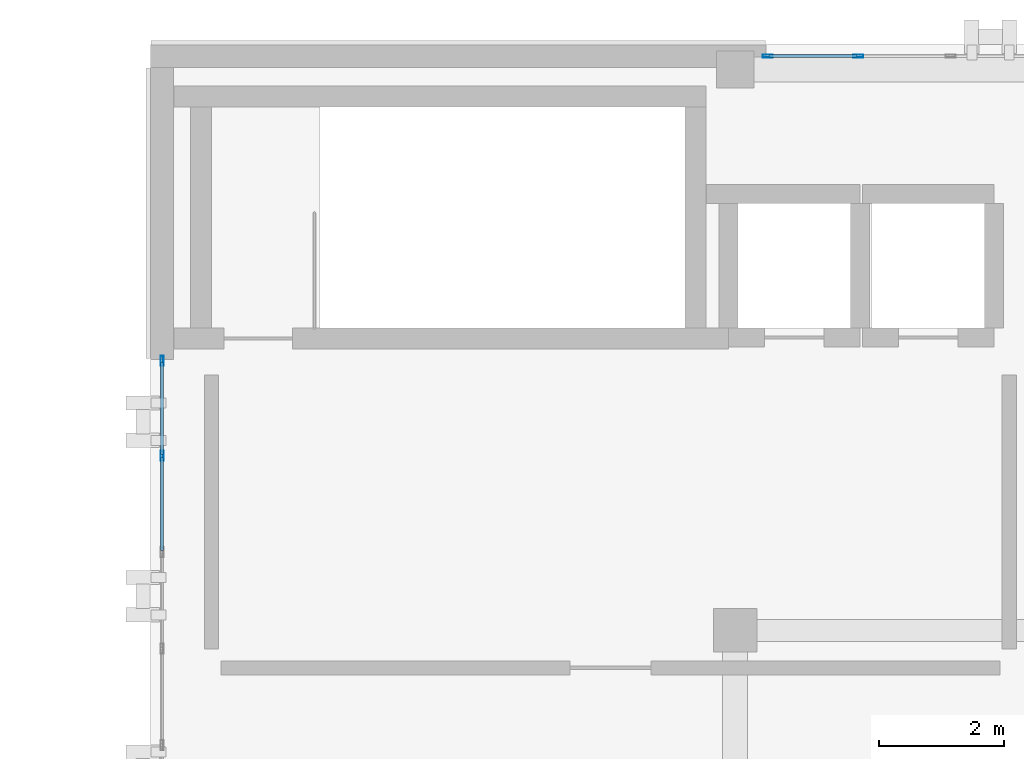
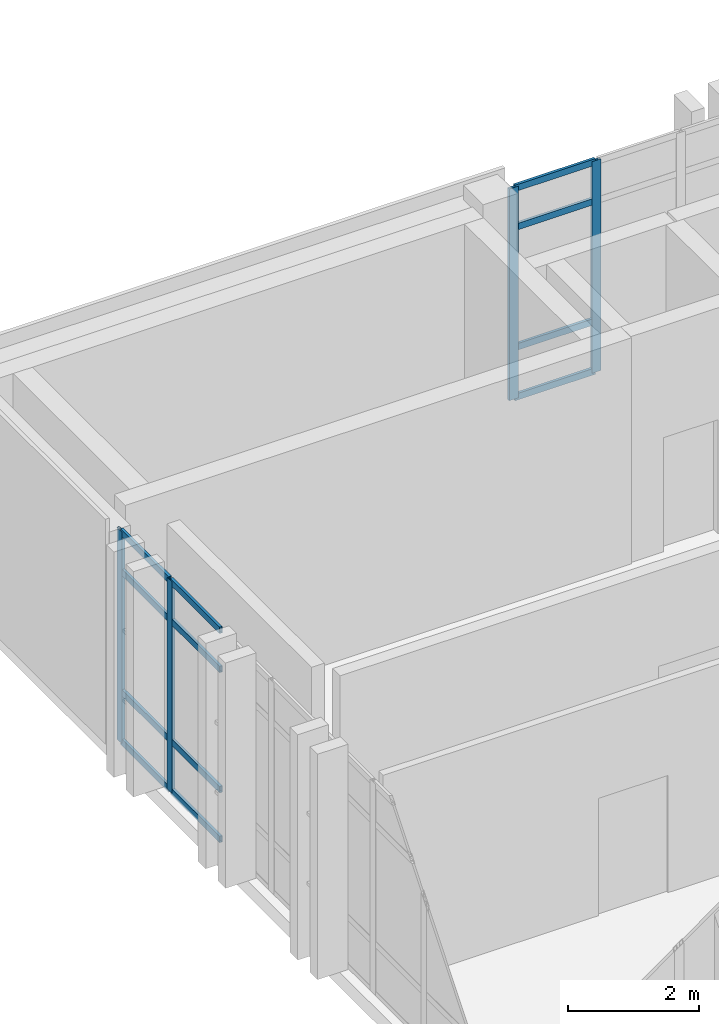
# One storey, part 46 of 77: 16 members, 2 elements without a shape of their own.
"""IFC4 building model written with IfcOpenShell, lengths in metres."""

from ifc_helpers import new_model, si_unit, direction, frame, origin, origin_2d, place, context, subcontext, project, spatial, hollow_rectangle, extrude, material, layer, layer_set, material_profile, profile_set, type_object, element, aggregate, save


model = new_model("IFC4")

# Units and contexts
model_context = context("Model", 3, precision=1e-05, world=origin(), true_north=direction((0.0, 1.0)))
body_context = subcontext(model_context, "Body", "Model", "MODEL_VIEW")
ifc_project = project(units=[si_unit("LENGTHUNIT", "METRE"), si_unit("AREAUNIT", "SQUARE_METRE"), si_unit("VOLUMEUNIT", "CUBIC_METRE"), si_unit("PLANEANGLEUNIT", "RADIAN"), si_unit("MASSUNIT", "GRAM", prefix="KILO")], contexts=[model_context])

# Site, building, storey
site_placement = place(None, origin())
site = spatial("IfcSite", under=ifc_project, at=site_placement, CompositionType="ELEMENT")
building_placement = place(site_placement, origin())
building = spatial("IfcBuilding", under=site, at=building_placement, Name="Qalavern Law Courts", CompositionType="ELEMENT")
storey_placement = place(building_placement, frame((0.0, 0.0, 27.0)))
storey = spatial("IfcBuildingStorey", under=building, at=storey_placement, Name="L06", CompositionType="ELEMENT", Elevation=27.0)

# Curtain wall, members
ifc_material_1 = material(Name="Anodised aluminium and insulated glazing", Category="aluminium")
ifc_layer = layer(ifc_material_1, 0.166015625)
ifc_layer_set = layer_set([ifc_layer], Name="Anodised aluminium and insulated glazing")
curtain_wall_type = type_object("IfcCurtainWallType", Name="ENV-CW-LIB", PredefinedType="USERDEFINED", material=ifc_layer_set)
curtain_wall_1_placement = place(storey_placement, origin())
curtain_wall_1 = element("IfcCurtainWall", 1, at=curtain_wall_1_placement, inside=storey, type_object=curtain_wall_type, Name="V5 unitised curtain wall L06 north 4", ObjectType="UNITISED CURTAIN WALL", PredefinedType="USERDEFINED")
ifc_material_2 = material(Name="Anodised aluminium", Category="aluminium")
ifc_material_profile_1 = material_profile(ifc_material_2, hollow_rectangle(XDim=0.048095703125, YDim=0.159912109375, WallThickness=0.00390625, at=origin_2d()), Name="ALU MULLION 48x160")
ifc_profile_set_1 = profile_set([ifc_material_profile_1], Name="Anodised aluminium")
member_type_1 = type_object("IfcMemberType", Name="ENV-CWM-48x160", PredefinedType="MULLION", material=ifc_profile_set_1)
member_1_placement = place(storey_placement, frame((30.3798828125, 112.81494140625, 0.0), z_axis=(0.0, 0.0, 1.0), x_axis=(0.0, -1.0, 0.0)))
member_1 = element("IfcMember", 2, at=member_1_placement, type_object=member_type_1, Name="CW-05 mullion 5", PredefinedType="MULLION", context=body_context, shape_type="SweptSolid", body=[
    extrude(hollow_rectangle(XDim=0.048095703125, YDim=0.159912109375, WallThickness=0.00390625, at=origin_2d()), origin(), (0.0, 0.0, 1.0), 3.93505859375),
])
member_2_placement = place(storey_placement, frame((28.924072265625, 112.81494140625, 0.0), z_axis=(0.0, 0.0, 1.0), x_axis=(0.0, -1.0, 0.0)))
member_2 = element("IfcMember", 3, at=member_2_placement, type_object=member_type_1, Name="CW-05 mullion 6", PredefinedType="MULLION", context=body_context, shape_type="SweptSolid", body=[
    extrude(hollow_rectangle(XDim=0.048095703125, YDim=0.159912109375, WallThickness=0.00390625, at=origin_2d()), origin(), (0.0, 0.0, 1.0), 3.93505859375),
])

curtain_wall_2_placement = place(storey_placement, origin())
curtain_wall_2 = element("IfcCurtainWall", 4, at=curtain_wall_2_placement, inside=storey, type_object=curtain_wall_type, Name="V5 unitised curtain wall L06 west 1", ObjectType="UNITISED CURTAIN WALL", PredefinedType="USERDEFINED")
member_3_placement = place(storey_placement, frame((19.205078125, 107.926025390625, 0.0), z_axis=(0.0, 0.0, 1.0), x_axis=(1.0, 0.0, 0.0)))
member_3 = element("IfcMember", 5, at=member_3_placement, type_object=member_type_1, Name="CW-05 mullion 1", PredefinedType="MULLION", context=body_context, shape_type="SweptSolid", body=[
    extrude(hollow_rectangle(XDim=0.048095703125, YDim=0.159912109375, WallThickness=0.00390625, at=origin_2d()), origin(), (0.0, 0.0, 1.0), 3.93505859375),
])
member_4_placement = place(storey_placement, frame((19.205078125, 106.402099609375, 0.0), z_axis=(0.0, 0.0, 1.0), x_axis=(1.0, 0.0, 0.0)))
member_4 = element("IfcMember", 6, at=member_4_placement, type_object=member_type_1, Name="CW-05 mullion 2", PredefinedType="MULLION", context=body_context, shape_type="SweptSolid", body=[
    extrude(hollow_rectangle(XDim=0.048095703125, YDim=0.159912109375, WallThickness=0.00390625, at=origin_2d()), origin(), (0.0, 0.0, 1.0), 3.93505859375),
])

# Member
ifc_material_profile_2 = material_profile(ifc_material_2, hollow_rectangle(XDim=0.048095703125, YDim=0.1201171875, WallThickness=0.00390625, at=origin_2d()), Name="ALU TRANSOM 48x120")
ifc_profile_set_2 = profile_set([ifc_material_profile_2], Name="Anodised aluminium")
member_type_2 = type_object("IfcMemberType", Name="ENV-CWT-48x120", PredefinedType="USERDEFINED", material=ifc_profile_set_2)
member_5_placement = place(storey_placement, frame((30.35595703125, 112.81494140625, 0.02392578125), z_axis=(-1.0, 0.0, 0.0), x_axis=(0.0, -1.0, 0.0)))
member_5 = element("IfcMember", 7, at=member_5_placement, type_object=member_type_2, Name="CW-05 transom 5.1", ObjectType="TRANSOM", PredefinedType="USERDEFINED", context=body_context, shape_type="SweptSolid", body=[
    extrude(hollow_rectangle(XDim=0.048095703125, YDim=0.1201171875, WallThickness=0.00390625, at=origin_2d()), origin(), (0.0, 0.0, 1.0), 1.407958984375),
])

member_6_placement = place(storey_placement, frame((30.35595703125, 112.81494140625, 0.949951171875), z_axis=(-1.0, 0.0, 0.0), x_axis=(0.0, -1.0, 0.0)))
member_6 = element("IfcMember", 8, at=member_6_placement, type_object=member_type_2, Name="CW-05 transom 5.2", ObjectType="TRANSOM", PredefinedType="USERDEFINED", context=body_context, shape_type="SweptSolid", body=[
    extrude(hollow_rectangle(XDim=0.048095703125, YDim=0.1201171875, WallThickness=0.00390625, at=origin_2d()), origin(), (0.0, 0.0, 1.0), 1.407958984375),
])

member_7_placement = place(storey_placement, frame((30.35595703125, 112.81494140625, 3.18505859375), z_axis=(-1.0, 0.0, 0.0), x_axis=(0.0, -1.0, 0.0)))
member_7 = element("IfcMember", 9, at=member_7_placement, type_object=member_type_2, Name="CW-05 transom 5.3", ObjectType="TRANSOM", PredefinedType="USERDEFINED", context=body_context, shape_type="SweptSolid", body=[
    extrude(hollow_rectangle(XDim=0.048095703125, YDim=0.1201171875, WallThickness=0.00390625, at=origin_2d()), origin(), (0.0, 0.0, 1.0), 1.407958984375),
])

member_8_placement = place(storey_placement, frame((30.35595703125, 112.81494140625, 3.910888671875), z_axis=(-1.0, 0.0, 0.0), x_axis=(0.0, -1.0, 0.0)))
member_8 = element("IfcMember", 10, at=member_8_placement, type_object=member_type_2, Name="CW-05 transom 5.4", ObjectType="TRANSOM", PredefinedType="USERDEFINED", context=body_context, shape_type="SweptSolid", body=[
    extrude(hollow_rectangle(XDim=0.048095703125, YDim=0.1201171875, WallThickness=0.00390625, at=origin_2d()), origin(), (0.0, 0.0, 1.0), 1.407958984375),
])

aggregate(curtain_wall_1, [member_1, member_2, member_5, member_6, member_7, member_8])

member_9_placement = place(storey_placement, frame((19.205078125, 107.902099609375, 0.02392578125), z_axis=(0.0, -1.0, 0.0), x_axis=(1.0, 0.0, 0.0)))
member_9 = element("IfcMember", 11, at=member_9_placement, type_object=member_type_2, Name="CW-05 transom 1.1", ObjectType="TRANSOM", PredefinedType="USERDEFINED", context=body_context, shape_type="SweptSolid", body=[
    extrude(hollow_rectangle(XDim=0.048095703125, YDim=0.1201171875, WallThickness=0.00390625, at=origin_2d()), origin(), (0.0, 0.0, 1.0), 1.47607421875),
])

member_10_placement = place(storey_placement, frame((19.205078125, 107.902099609375, 0.949951171875), z_axis=(0.0, -1.0, 0.0), x_axis=(1.0, 0.0, 0.0)))
member_10 = element("IfcMember", 12, at=member_10_placement, type_object=member_type_2, Name="CW-05 transom 1.2", ObjectType="TRANSOM", PredefinedType="USERDEFINED", context=body_context, shape_type="SweptSolid", body=[
    extrude(hollow_rectangle(XDim=0.048095703125, YDim=0.1201171875, WallThickness=0.00390625, at=origin_2d()), origin(), (0.0, 0.0, 1.0), 1.47607421875),
])

member_11_placement = place(storey_placement, frame((19.205078125, 107.902099609375, 3.18505859375), z_axis=(0.0, -1.0, 0.0), x_axis=(1.0, 0.0, 0.0)))
member_11 = element("IfcMember", 13, at=member_11_placement, type_object=member_type_2, Name="CW-05 transom 1.3", ObjectType="TRANSOM", PredefinedType="USERDEFINED", context=body_context, shape_type="SweptSolid", body=[
    extrude(hollow_rectangle(XDim=0.048095703125, YDim=0.1201171875, WallThickness=0.00390625, at=origin_2d()), origin(), (0.0, 0.0, 1.0), 1.47607421875),
])

member_12_placement = place(storey_placement, frame((19.205078125, 107.902099609375, 3.910888671875), z_axis=(0.0, -1.0, 0.0), x_axis=(1.0, 0.0, 0.0)))
member_12 = element("IfcMember", 14, at=member_12_placement, type_object=member_type_2, Name="CW-05 transom 1.4", ObjectType="TRANSOM", PredefinedType="USERDEFINED", context=body_context, shape_type="SweptSolid", body=[
    extrude(hollow_rectangle(XDim=0.048095703125, YDim=0.1201171875, WallThickness=0.00390625, at=origin_2d()), origin(), (0.0, 0.0, 1.0), 1.47607421875),
])

member_13_placement = place(storey_placement, frame((19.205078125, 106.378173828125, 0.02392578125), z_axis=(0.0, -1.0, 0.0), x_axis=(1.0, 0.0, 0.0)))
member_13 = element("IfcMember", 15, at=member_13_placement, type_object=member_type_2, Name="CW-05 transom 2.1", ObjectType="TRANSOM", PredefinedType="USERDEFINED", context=body_context, shape_type="SweptSolid", body=[
    extrude(hollow_rectangle(XDim=0.048095703125, YDim=0.1201171875, WallThickness=0.00390625, at=origin_2d()), origin(), (0.0, 0.0, 1.0), 1.5),
])

member_14_placement = place(storey_placement, frame((19.205078125, 106.378173828125, 0.949951171875), z_axis=(0.0, -1.0, 0.0), x_axis=(1.0, 0.0, 0.0)))
member_14 = element("IfcMember", 16, at=member_14_placement, type_object=member_type_2, Name="CW-05 transom 2.2", ObjectType="TRANSOM", PredefinedType="USERDEFINED", context=body_context, shape_type="SweptSolid", body=[
    extrude(hollow_rectangle(XDim=0.048095703125, YDim=0.1201171875, WallThickness=0.00390625, at=origin_2d()), origin(), (0.0, 0.0, 1.0), 1.5),
])

member_15_placement = place(storey_placement, frame((19.205078125, 106.378173828125, 3.18505859375), z_axis=(0.0, -1.0, 0.0), x_axis=(1.0, 0.0, 0.0)))
member_15 = element("IfcMember", 17, at=member_15_placement, type_object=member_type_2, Name="CW-05 transom 2.3", ObjectType="TRANSOM", PredefinedType="USERDEFINED", context=body_context, shape_type="SweptSolid", body=[
    extrude(hollow_rectangle(XDim=0.048095703125, YDim=0.1201171875, WallThickness=0.00390625, at=origin_2d()), origin(), (0.0, 0.0, 1.0), 1.5),
])

member_16_placement = place(storey_placement, frame((19.205078125, 106.378173828125, 3.910888671875), z_axis=(0.0, -1.0, 0.0), x_axis=(1.0, 0.0, 0.0)))
member_16 = element("IfcMember", 18, at=member_16_placement, type_object=member_type_2, Name="CW-05 transom 2.4", ObjectType="TRANSOM", PredefinedType="USERDEFINED", context=body_context, shape_type="SweptSolid", body=[
    extrude(hollow_rectangle(XDim=0.048095703125, YDim=0.1201171875, WallThickness=0.00390625, at=origin_2d()), origin(), (0.0, 0.0, 1.0), 1.5),
])

aggregate(curtain_wall_2, [member_3, member_4, member_9, member_10, member_11, member_12, member_13, member_14, member_15, member_16])

save(model, "model.ifc")
